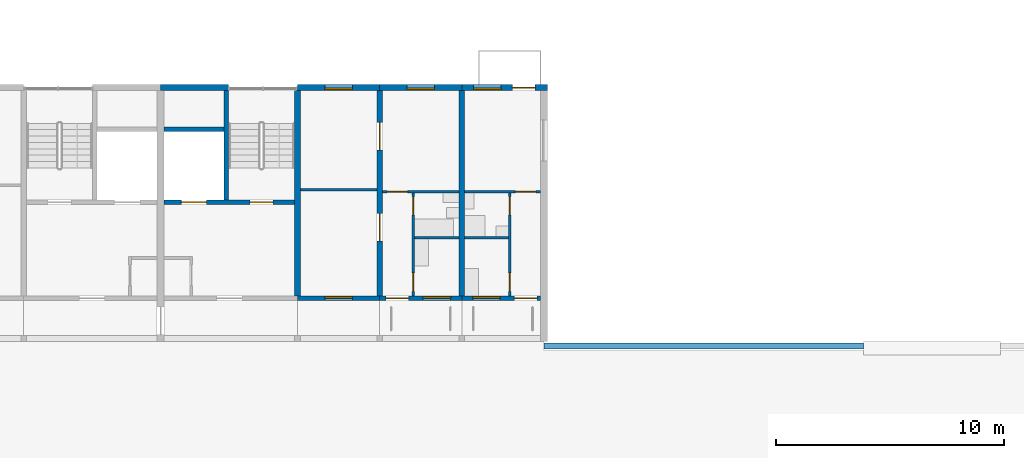
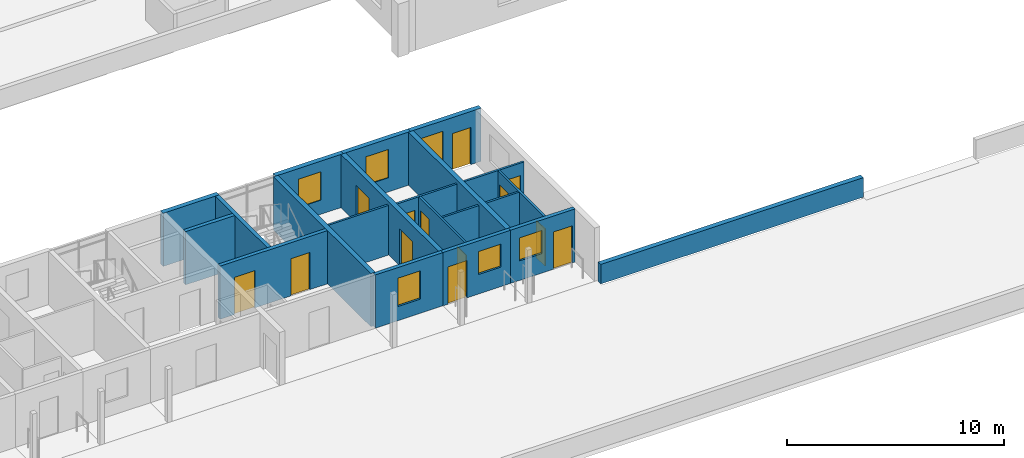
# One storey, part 46 of 115: 21 walls, 13 doors, 6 windows, 19 openings.
"""IFC4 building model written with IfcOpenShell, lengths in metres."""

from ifc_helpers import new_model, si_unit, direction, frame, frame_2d, origin, place, context, subcontext, project, spatial, rectangle, extrude, material, layer, layer_set, type_object, element, fill, save


model = new_model("IFC4")

# Units and contexts
model_context = context("Model", 3, precision=1e-05, world=origin(), true_north=direction((0.0, 1.0)))
body_context = subcontext(model_context, "Body", "Model", "MODEL_VIEW")
ifc_project = project(units=[si_unit("LENGTHUNIT", "METRE"), si_unit("AREAUNIT", "SQUARE_METRE"), si_unit("VOLUMEUNIT", "CUBIC_METRE"), si_unit("PLANEANGLEUNIT", "RADIAN"), si_unit("MASSUNIT", "GRAM", prefix="KILO")], contexts=[model_context])

# Site, building, storey
site_placement = place(None, origin())
site = spatial("IfcSite", under=ifc_project, at=site_placement, CompositionType="ELEMENT")
building_placement = place(site_placement, origin())
building = spatial("IfcBuilding", under=site, at=building_placement, Name="Ridgestep Commons", CompositionType="ELEMENT")
storey_placement = place(building_placement, frame((0.0, 0.0, 6.0)))
storey = spatial("IfcBuildingStorey", under=building, at=storey_placement, Name="L02", CompositionType="ELEMENT", Elevation=6.0)

# Walls
ifc_material_1 = material(Name="Precast concrete C40/50", Category="concrete")
ifc_layer_1 = layer(ifc_material_1, 0.25)
ifc_layer_set_1 = layer_set([ifc_layer_1], Name="Community terrace parapet 250")
wall_type_1 = type_object("IfcWallType", Name="Community terrace parapet 250", PredefinedType="PARAPET", material=ifc_layer_set_1)
wall_1_placement = place(storey_placement, frame((112.800048828125, 11.550048828125, 0.0), z_axis=(0.0, 0.0, 1.0), x_axis=(1.0, 0.0, 0.0)))
element("IfcWall", 1, at=wall_1_placement, inside=storey, type_object=wall_type_1, Name="Terrace parapet", PredefinedType="PARAPET", context=body_context, shape_type="SweptSolid", body=[
    extrude(rectangle(XDim=14.0, YDim=0.25, at=frame_2d((7.0, 0.0))), origin(), (0.0, 0.0, 1.0), 1.10009765625),
])
ifc_material_2 = material(Name="Concrete C30/37", Category="concrete")
ifc_layer_2 = layer(ifc_material_2, 0.25)
ifc_layer_set_2 = layer_set([ifc_layer_2], Name="Core cross wall 250")
wall_type_2 = type_object("IfcWallType", Name="Core cross wall 250", PredefinedType="SHEAR", material=ifc_layer_set_2)
wall_2_placement = place(storey_placement, frame((102.0, 13.75, 0.0), z_axis=(0.0, 0.0, 1.0), x_axis=(0.0, 1.0, 0.0)))
element("IfcWall", 2, at=wall_2_placement, inside=storey, type_object=wall_type_2, Name="Cross wall A-02-1020", PredefinedType="SHEAR", context=body_context, shape_type="SweptSolid", body=[
    extrude(rectangle(XDim=9.0, YDim=0.25, at=frame_2d((4.5, 0.0))), origin(), (0.0, 0.0, 1.0), 3.0),
])

# Wall, openings, doors
ifc_material_3 = material(Name="Concrete C30/37", Category="concrete")
ifc_layer_3 = layer(ifc_material_3, 0.199951171875)
ifc_layer_set_3 = layer_set([ifc_layer_3], Name="Core wall 200")
wall_type_3 = type_object("IfcWallType", Name="Core wall 200", PredefinedType="SHEAR", material=ifc_layer_set_3)
wall_3_placement = place(storey_placement, frame((96.14990234375, 17.85009765625, 0.0), z_axis=(0.0, 0.0, 1.0), x_axis=(1.0, 0.0, 0.0)))
wall_3 = element("IfcWall", 3, at=wall_3_placement, inside=storey, type_object=wall_type_3, Name="Core lobby wall A6C L02", PredefinedType="SHEAR", context=body_context, shape_type="SweptSolid", body=[
    extrude(rectangle(XDim=5.72509765625, YDim=0.199951171875, at=frame_2d((2.862548828125, 0.0))), origin(), (0.0, 0.0, 1.0), 3.0),
])
opening_1_placement = place(wall_3_placement, frame((3.77490234375, 0.0, 0.0)))
opening_1 = element("IfcOpeningElement", 4, at=opening_1_placement, cuts=wall_3, Name="Opening A6C/02/2", PredefinedType="OPENING", context=body_context, shape_type="SweptSolid", body=[
    extrude(rectangle(XDim=1.0, YDim=2.10009765625, at=frame_2d((0.5, 1.050048828125))), frame((0.0, 0.10986328125, 0.0), z_axis=(0.0, -1.0, 0.0), x_axis=(1.0, 0.0, 0.0)), (0.0, 0.0, 1.0), 0.219970703125),
])
opening_2_placement = place(wall_3_placement, frame((0.762451171875, 0.0, 0.0)))
opening_2 = element("IfcOpeningElement", 5, at=opening_2_placement, cuts=wall_3, Name="Opening A6C/02/3", PredefinedType="OPENING", context=body_context, shape_type="SweptSolid", body=[
    extrude(rectangle(XDim=1.10009765625, YDim=2.10009765625, at=frame_2d((0.550048828125, 1.050048828125))), frame((0.0, 0.10986328125, 0.0), z_axis=(0.0, -1.0, 0.0), x_axis=(1.0, 0.0, 0.0)), (0.0, 0.0, 1.0), 0.219970703125),
])
ifc_material_4 = material(Name="Stainless steel", Category="steel")
door_type_1 = type_object("IfcDoorType", Name="Lift landing door 1100 x 2100 FD60", OperationType="DOUBLE_DOOR_SLIDING", PredefinedType="DOOR", material=ifc_material_4)
door_1_placement = place(opening_2_placement, origin())
door_1 = element("IfcDoor", 6, at=door_1_placement, inside=storey, type_object=door_type_1, Name="Landing door LD A6C L02", OperationType="DOUBLE_DOOR_SLIDING", OverallHeight=2.10009765625, OverallWidth=1.10009765625, PredefinedType="DOOR", context=body_context, shape_type="SweptSolid", body=[
    extrude(rectangle(XDim=1.10009765625, YDim=2.10009765625, at=frame_2d((0.550048828125, 1.050048828125))), frame((0.0, 0.02490234375, 0.0), z_axis=(0.0, -1.0, 0.0), x_axis=(1.0, 0.0, 0.0)), (0.0, 0.0, 1.0), 0.050048828125),
])
fill(opening_2, door_1)
ifc_material_5 = material(Name="Steel fire door", Category="steel")
door_type_2 = type_object("IfcDoorType", Name="Stair door 1000 x 2100 FD60", OperationType="NOTDEFINED", PredefinedType="DOOR", material=ifc_material_5)
door_2_placement = place(opening_1_placement, origin())
door_2 = element("IfcDoor", 7, at=door_2_placement, inside=storey, type_object=door_type_2, Name="Stair door A6C/02/2", OperationType="SINGLE_SWING_RIGHT", OverallHeight=2.10009765625, OverallWidth=1.0, PredefinedType="DOOR", context=body_context, shape_type="SweptSolid", body=[
    extrude(rectangle(XDim=1.0, YDim=2.10009765625, at=frame_2d((0.5, 1.050048828125))), frame((0.0, 0.02490234375, 0.0), z_axis=(0.0, -1.0, 0.0), x_axis=(1.0, 0.0, 0.0)), (0.0, 0.0, 1.0), 0.050048828125),
])
fill(opening_1, door_2)

# Walls
wall_4_placement = place(storey_placement, frame((98.875, 17.949951171875, 0.0), z_axis=(0.0, 0.0, 1.0), x_axis=(0.0, 1.0, 0.0)))
element("IfcWall", 8, at=wall_4_placement, inside=storey, type_object=wall_type_3, Name="Core stair wall A6C L02", PredefinedType="SHEAR", context=body_context, shape_type="SweptSolid", body=[
    extrude(rectangle(XDim=4.800048828125, YDim=0.199951171875, at=frame_2d((2.39990234375, 0.0))), origin(), (0.0, 0.0, 1.0), 3.0),
])
wall_5_placement = place(storey_placement, frame((96.14990234375, 21.050048828125, 0.0), z_axis=(0.0, 0.0, 1.0), x_axis=(1.0, 0.0, 0.0)))
element("IfcWall", 9, at=wall_5_placement, inside=storey, type_object=wall_type_3, Name="Core duct wall A6C L02", PredefinedType="SHEAR", context=body_context, shape_type="SweptSolid", body=[
    extrude(rectangle(XDim=2.625, YDim=0.199951171875, at=frame_2d((1.3125, 0.0))), origin(), (0.0, 0.0, 1.0), 3.0),
])

# Wall, openings, doors
ifc_material_6 = material(Name="Precast concrete C40/50", Category="concrete")
ifc_layer_4 = layer(ifc_material_6, 0.25)
ifc_layer_set_4 = layer_set([ifc_layer_4], Name="Cross wall 250")
wall_type_4 = type_object("IfcWallType", Name="Cross wall 250", PredefinedType="SHEAR", material=ifc_layer_set_4)
wall_6_placement = place(storey_placement, frame((105.60009765625, 13.75, 0.0), z_axis=(0.0, 0.0, 1.0), x_axis=(0.0, 1.0, 0.0)))
wall_6 = element("IfcWall", 10, at=wall_6_placement, inside=storey, type_object=wall_type_4, Name="Cross wall A-02-1056", PredefinedType="SHEAR", context=body_context, shape_type="SweptSolid", body=[
    extrude(rectangle(XDim=9.0, YDim=0.25, at=frame_2d((4.5, 0.0))), origin(), (0.0, 0.0, 1.0), 3.0),
])
opening_3_placement = place(wall_6_placement, frame((2.39990234375, 0.0, 0.0)))
opening_3 = element("IfcOpeningElement", 11, at=opening_3_placement, cuts=wall_6, Name="Opening A6-02b/5", PredefinedType="OPENING", context=body_context, shape_type="SweptSolid", body=[
    extrude(rectangle(XDim=1.199951171875, YDim=2.10009765625, at=frame_2d((0.60009765625, 1.050048828125))), frame((0.0, 0.135009765625, 0.0), z_axis=(0.0, -1.0, 0.0), x_axis=(1.0, 0.0, 0.0)), (0.0, 0.0, 1.0), 0.27001953125),
])
opening_4_placement = place(wall_6_placement, frame((6.39990234375, 0.0, 0.0)))
opening_4 = element("IfcOpeningElement", 12, at=opening_4_placement, cuts=wall_6, Name="Opening A6-02b/6", PredefinedType="OPENING", context=body_context, shape_type="SweptSolid", body=[
    extrude(rectangle(XDim=1.199951171875, YDim=2.10009765625, at=frame_2d((0.60009765625, 1.050048828125))), frame((0.0, 0.135009765625, 0.0), z_axis=(0.0, -1.0, 0.0), x_axis=(1.0, 0.0, 0.0)), (0.0, 0.0, 1.0), 0.27001953125),
])
ifc_material_7 = material(Name="Timber door leaf", Category="wood")
door_type_3 = type_object("IfcDoorType", Name="Double door 1200 x 2100", OperationType="DOUBLE_DOOR_SINGLE_SWING", PredefinedType="DOOR", material=ifc_material_7)
door_3_placement = place(opening_3_placement, origin())
door_3 = element("IfcDoor", 13, at=door_3_placement, inside=storey, type_object=door_type_3, Name="Double door A6-02b/5", OperationType="DOUBLE_DOOR_SINGLE_SWING", OverallHeight=2.10009765625, OverallWidth=1.199951171875, PredefinedType="DOOR", context=body_context, shape_type="SweptSolid", body=[
    extrude(rectangle(XDim=1.199951171875, YDim=2.10009765625, at=frame_2d((0.60009765625, 1.050048828125))), frame((0.0, 0.02490234375, 0.0), z_axis=(0.0, -1.0, 0.0), x_axis=(1.0, 0.0, 0.0)), (0.0, 0.0, 1.0), 0.050048828125),
])
fill(opening_3, door_3)
door_4_placement = place(opening_4_placement, origin())
door_4 = element("IfcDoor", 14, at=door_4_placement, inside=storey, type_object=door_type_3, Name="Double door A6-02b/6", OperationType="DOUBLE_DOOR_SINGLE_SWING", OverallHeight=2.10009765625, OverallWidth=1.199951171875, PredefinedType="DOOR", context=body_context, shape_type="SweptSolid", body=[
    extrude(rectangle(XDim=1.199951171875, YDim=2.10009765625, at=frame_2d((0.60009765625, 1.050048828125))), frame((0.0, 0.02490234375, 0.0), z_axis=(0.0, -1.0, 0.0), x_axis=(1.0, 0.0, 0.0)), (0.0, 0.0, 1.0), 0.050048828125),
])
fill(opening_4, door_4)

# Walls
wall_7_placement = place(storey_placement, frame((109.199951171875, 13.75, 0.0), z_axis=(0.0, 0.0, 1.0), x_axis=(0.0, 1.0, 0.0)))
element("IfcWall", 15, at=wall_7_placement, inside=storey, type_object=wall_type_4, Name="Cross wall A-02-1092", PredefinedType="SHEAR", context=body_context, shape_type="SweptSolid", body=[
    extrude(rectangle(XDim=9.0, YDim=0.25, at=frame_2d((4.5, 0.0))), origin(), (0.0, 0.0, 1.0), 3.0),
])
ifc_material_8 = material(Name="Precast concrete C40/50", Category="concrete")
ifc_layer_5 = layer(ifc_material_8, 0.25)
ifc_layer_set_5 = layer_set([ifc_layer_5], Name="North facade panel 250")
wall_type_5 = type_object("IfcWallType", Name="North facade panel 250", PredefinedType="SOLIDWALL", material=ifc_layer_set_5)
wall_8_placement = place(storey_placement, frame((96.0, 22.875, 0.0), z_axis=(0.0, 0.0, 1.0), x_axis=(1.0, 0.0, 0.0)))
element("IfcWall", 16, at=wall_8_placement, inside=storey, type_object=wall_type_5, Name="North panel A6C L02", PredefinedType="SOLIDWALL", context=body_context, shape_type="SweptSolid", body=[
    extrude(rectangle(XDim=2.97509765625, YDim=0.25, at=frame_2d((1.487548828125, 0.0))), origin(), (0.0, 0.0, 1.0), 3.0),
])

# Wall, opening, window
wall_9_placement = place(storey_placement, frame((102.0, 22.875, 0.0), z_axis=(0.0, 0.0, 1.0), x_axis=(1.0, 0.0, 0.0)))
wall_9 = element("IfcWall", 17, at=wall_9_placement, inside=storey, type_object=wall_type_5, Name="North panel A6T3 L02", PredefinedType="SOLIDWALL", context=body_context, shape_type="SweptSolid", body=[
    extrude(rectangle(XDim=3.60009765625, YDim=0.25, at=frame_2d((1.800048828125, 0.0))), origin(), (0.0, 0.0, 1.0), 3.0),
])
opening_5_placement = place(wall_9_placement, frame((1.199951171875, 0.0, 0.800048828125)))
opening_5 = element("IfcOpeningElement", 18, at=opening_5_placement, cuts=wall_9, Name="Opening W11", PredefinedType="OPENING", context=body_context, shape_type="SweptSolid", body=[
    extrude(rectangle(XDim=1.199951171875, YDim=1.60009765625, at=frame_2d((0.60009765625, 0.800048828125))), frame((0.0, 0.135009765625, 0.0), z_axis=(0.0, -1.0, 0.0), x_axis=(1.0, 0.0, 0.0)), (0.0, 0.0, 1.0), 0.27001953125),
])
ifc_material_9 = material(Name="Aluminium 6063-T6 and glass", Category="aluminium")
window_type_1 = type_object("IfcWindowType", Name="Flat window 1200 x 1600", PartitioningType="SINGLE_PANEL", PredefinedType="WINDOW", material=ifc_material_9)
window_1_placement = place(opening_5_placement, origin())
window_1 = element("IfcWindow", 19, at=window_1_placement, inside=storey, type_object=window_type_1, Name="Window A6-02b 2", OverallHeight=1.60009765625, OverallWidth=1.199951171875, PartitioningType="SINGLE_PANEL", PredefinedType="WINDOW", context=body_context, shape_type="SweptSolid", body=[
    extrude(rectangle(XDim=1.199951171875, YDim=1.60009765625, at=frame_2d((0.60009765625, 0.800048828125))), frame((0.0, -0.02490234375, 0.0), z_axis=(0.0, -1.0, 0.0), x_axis=(1.0, 0.0, 0.0)), (0.0, 0.0, 1.0), 0.06005859375),
])
fill(opening_5, window_1)

wall_10_placement = place(storey_placement, frame((105.60009765625, 22.875, 0.0), z_axis=(0.0, 0.0, 1.0), x_axis=(1.0, 0.0, 0.0)))
wall_10 = element("IfcWall", 20, at=wall_10_placement, inside=storey, type_object=wall_type_5, Name="North panel A6T2 L02", PredefinedType="SOLIDWALL", context=body_context, shape_type="SweptSolid", body=[
    extrude(rectangle(XDim=3.599853515625, YDim=0.25, at=frame_2d((1.7998046875, 0.0))), origin(), (0.0, 0.0, 1.0), 3.0),
])
opening_6_placement = place(wall_10_placement, frame((1.199951171875, 0.0, 0.800048828125)))
opening_6 = element("IfcOpeningElement", 21, at=opening_6_placement, cuts=wall_10, Name="Opening W11", PredefinedType="OPENING", context=body_context, shape_type="SweptSolid", body=[
    extrude(rectangle(XDim=1.199951171875, YDim=1.60009765625, at=frame_2d((0.60009765625, 0.800048828125))), frame((0.0, 0.135009765625, 0.0), z_axis=(0.0, -1.0, 0.0), x_axis=(1.0, 0.0, 0.0)), (0.0, 0.0, 1.0), 0.27001953125),
])
window_2_placement = place(opening_6_placement, origin())
window_2 = element("IfcWindow", 22, at=window_2_placement, inside=storey, type_object=window_type_1, Name="Window A6-02b 4", OverallHeight=1.60009765625, OverallWidth=1.199951171875, PartitioningType="SINGLE_PANEL", PredefinedType="WINDOW", context=body_context, shape_type="SweptSolid", body=[
    extrude(rectangle(XDim=1.199951171875, YDim=1.60009765625, at=frame_2d((0.60009765625, 0.800048828125))), frame((0.0, -0.02490234375, 0.0), z_axis=(0.0, -1.0, 0.0), x_axis=(1.0, 0.0, 0.0)), (0.0, 0.0, 1.0), 0.06005859375),
])
fill(opening_6, window_2)

# Wall, openings, door, window
wall_11_placement = place(storey_placement, frame((109.199951171875, 22.875, 0.0), z_axis=(0.0, 0.0, 1.0), x_axis=(1.0, 0.0, 0.0)))
wall_11 = element("IfcWall", 23, at=wall_11_placement, inside=storey, type_object=wall_type_5, Name="North panel A6T1 L02", PredefinedType="SOLIDWALL", context=body_context, shape_type="SweptSolid", body=[
    extrude(rectangle(XDim=3.75, YDim=0.25, at=frame_2d((1.875, 0.0))), origin(), (0.0, 0.0, 1.0), 3.0),
])
opening_7_placement = place(wall_11_placement, frame((0.52001953125, 0.0, 0.800048828125)))
opening_7 = element("IfcOpeningElement", 24, at=opening_7_placement, cuts=wall_11, Name="Opening W11", PredefinedType="OPENING", context=body_context, shape_type="SweptSolid", body=[
    extrude(rectangle(XDim=1.199951171875, YDim=1.60009765625, at=frame_2d((0.60009765625, 0.800048828125))), frame((0.0, 0.135009765625, 0.0), z_axis=(0.0, -1.0, 0.0), x_axis=(1.0, 0.0, 0.0)), (0.0, 0.0, 1.0), 0.27001953125),
])
opening_8_placement = place(wall_11_placement, frame((2.215087890625, 0.0, 0.0)))
opening_8 = element("IfcOpeningElement", 25, at=opening_8_placement, cuts=wall_11, Name="Opening A6-02a/5", PredefinedType="OPENING", context=body_context, shape_type="SweptSolid", body=[
    extrude(rectangle(XDim=1.0, YDim=2.10009765625, at=frame_2d((0.5, 1.050048828125))), frame((0.0, 0.135009765625, 0.0), z_axis=(0.0, -1.0, 0.0), x_axis=(1.0, 0.0, 0.0)), (0.0, 0.0, 1.0), 0.27001953125),
])
ifc_material_10 = material(Name="Aluminium and glass", Category="aluminium")
door_type_4 = type_object("IfcDoorType", Name="Balcony door 1000 x 2100", OperationType="NOTDEFINED", PredefinedType="DOOR", material=ifc_material_10)
door_5_placement = place(opening_8_placement, origin())
door_5 = element("IfcDoor", 26, at=door_5_placement, inside=storey, type_object=door_type_4, Name="Balcony door A6-02a/5", OperationType="SINGLE_SWING_LEFT", OverallHeight=2.10009765625, OverallWidth=1.0, PredefinedType="DOOR", context=body_context, shape_type="SweptSolid", body=[
    extrude(rectangle(XDim=1.0, YDim=2.10009765625, at=frame_2d((0.5, 1.050048828125))), frame((0.0, 0.02490234375, 0.0), z_axis=(0.0, -1.0, 0.0), x_axis=(1.0, 0.0, 0.0)), (0.0, 0.0, 1.0), 0.050048828125),
])
fill(opening_8, door_5)
window_3_placement = place(opening_7_placement, origin())
window_3 = element("IfcWindow", 27, at=window_3_placement, inside=storey, type_object=window_type_1, Name="Window A6-02a 2", OverallHeight=1.60009765625, OverallWidth=1.199951171875, PartitioningType="SINGLE_PANEL", PredefinedType="WINDOW", context=body_context, shape_type="SweptSolid", body=[
    extrude(rectangle(XDim=1.199951171875, YDim=1.60009765625, at=frame_2d((0.60009765625, 0.800048828125))), frame((0.0, -0.02490234375, 0.0), z_axis=(0.0, -1.0, 0.0), x_axis=(1.0, 0.0, 0.0)), (0.0, 0.0, 1.0), 0.06005859375),
])
fill(opening_7, window_3)

# Wall
ifc_material_11 = material(Name="Common brick 110 mm", Category="masonry")
ifc_layer_6 = layer(ifc_material_11, 0.110107421875)
ifc_layer_set_6 = layer_set([ifc_layer_6], Name="Partition 110")
wall_type_6 = type_object("IfcWallType", Name="Partition 110", PredefinedType="PARTITIONING", material=ifc_layer_set_6)
wall_12_placement = place(storey_placement, frame((109.324951171875, 16.304931640625, 0.0), z_axis=(0.0, 0.0, 1.0), x_axis=(1.0, 0.0, 0.0)))
element("IfcWall", 28, at=wall_12_placement, inside=storey, type_object=wall_type_6, Name="Partition A6-02a", PredefinedType="PARTITIONING", context=body_context, shape_type="SweptSolid", body=[
    extrude(rectangle(XDim=1.9150390625, YDim=0.110107421875, at=frame_2d((0.95751953125, 0.0))), origin(), (0.0, 0.0, 1.0), 2.800048828125),
])

# Wall, openings, doors
wall_13_placement = place(storey_placement, frame((111.294921875, 13.75, 0.0), z_axis=(0.0, 0.0, 1.0), x_axis=(0.0, 1.0, 0.0)))
wall_13 = element("IfcWall", 29, at=wall_13_placement, inside=storey, type_object=wall_type_6, Name="Partition A6-02a", PredefinedType="PARTITIONING", context=body_context, shape_type="SweptSolid", body=[
    extrude(rectangle(XDim=4.5, YDim=0.110107421875, at=frame_2d((2.25, 0.0))), origin(), (0.0, 0.0, 1.0), 2.800048828125),
])
opening_9_placement = place(wall_13_placement, frame((0.199951171875, 0.0, 0.0)))
opening_9 = element("IfcOpeningElement", 30, at=opening_9_placement, cuts=wall_13, Name="Opening A6-02a/2", PredefinedType="OPENING", context=body_context, shape_type="SweptSolid", body=[
    extrude(rectangle(XDim=0.800048828125, YDim=2.10009765625, at=frame_2d((0.39990234375, 1.050048828125))), frame((0.0, 0.06494140625, 0.0), z_axis=(0.0, -1.0, 0.0), x_axis=(1.0, 0.0, 0.0)), (0.0, 0.0, 1.0), 0.130126953125),
])
opening_10_placement = place(wall_13_placement, frame((3.550048828125, 0.0, 0.0)))
opening_10 = element("IfcOpeningElement", 31, at=opening_10_placement, cuts=wall_13, Name="Opening A6-02a/3", PredefinedType="OPENING", context=body_context, shape_type="SweptSolid", body=[
    extrude(rectangle(XDim=0.800048828125, YDim=2.10009765625, at=frame_2d((0.39990234375, 1.050048828125))), frame((0.0, 0.06494140625, 0.0), z_axis=(0.0, -1.0, 0.0), x_axis=(1.0, 0.0, 0.0)), (0.0, 0.0, 1.0), 0.130126953125),
])
ifc_material_12 = material(Name="Timber door leaf", Category="wood")
door_type_5 = type_object("IfcDoorType", Name="Internal door 800 x 2100", OperationType="NOTDEFINED", PredefinedType="DOOR", material=ifc_material_12)
door_6_placement = place(opening_9_placement, origin())
door_6 = element("IfcDoor", 32, at=door_6_placement, inside=storey, type_object=door_type_5, Name="Internal door A6-02a/2", OperationType="SINGLE_SWING_LEFT", OverallHeight=2.10009765625, OverallWidth=0.800048828125, PredefinedType="DOOR", context=body_context, shape_type="SweptSolid", body=[
    extrude(rectangle(XDim=0.800048828125, YDim=2.10009765625, at=frame_2d((0.39990234375, 1.050048828125))), frame((0.0, 0.02490234375, 0.0), z_axis=(0.0, -1.0, 0.0), x_axis=(1.0, 0.0, 0.0)), (0.0, 0.0, 1.0), 0.050048828125),
])
fill(opening_9, door_6)
door_7_placement = place(opening_10_placement, origin())
door_7 = element("IfcDoor", 33, at=door_7_placement, inside=storey, type_object=door_type_5, Name="Internal door A6-02a/3", OperationType="SINGLE_SWING_RIGHT", OverallHeight=2.10009765625, OverallWidth=0.800048828125, PredefinedType="DOOR", context=body_context, shape_type="SweptSolid", body=[
    extrude(rectangle(XDim=0.800048828125, YDim=2.10009765625, at=frame_2d((0.39990234375, 1.050048828125))), frame((0.0, 0.02490234375, 0.0), z_axis=(0.0, -1.0, 0.0), x_axis=(1.0, 0.0, 0.0)), (0.0, 0.0, 1.0), 0.050048828125),
])
fill(opening_10, door_7)

# Wall, opening, door
wall_14_placement = place(storey_placement, frame((109.324951171875, 18.304931640625, 0.0), z_axis=(0.0, 0.0, 1.0), x_axis=(1.0, 0.0, 0.0)))
wall_14 = element("IfcWall", 34, at=wall_14_placement, inside=storey, type_object=wall_type_6, Name="Partition A6-02a", PredefinedType="PARTITIONING", context=body_context, shape_type="SweptSolid", body=[
    extrude(rectangle(XDim=3.324951171875, YDim=0.110107421875, at=frame_2d((1.66259765625, 0.0))), origin(), (0.0, 0.0, 1.0), 2.800048828125),
])
opening_11_placement = place(wall_14_placement, frame((2.22509765625, 0.0, 0.0)))
opening_11 = element("IfcOpeningElement", 35, at=opening_11_placement, cuts=wall_14, Name="Opening A6-02a/4", PredefinedType="OPENING", context=body_context, shape_type="SweptSolid", body=[
    extrude(rectangle(XDim=0.89990234375, YDim=2.10009765625, at=frame_2d((0.449951171875, 1.050048828125))), frame((0.0, 0.06494140625, 0.0), z_axis=(0.0, -1.0, 0.0), x_axis=(1.0, 0.0, 0.0)), (0.0, 0.0, 1.0), 0.130126953125),
])
ifc_material_13 = material(Name="Timber door leaf", Category="wood")
door_type_6 = type_object("IfcDoorType", Name="Internal door 900 x 2100", OperationType="NOTDEFINED", PredefinedType="DOOR", material=ifc_material_13)
door_8_placement = place(opening_11_placement, origin())
door_8 = element("IfcDoor", 36, at=door_8_placement, inside=storey, type_object=door_type_6, Name="Internal door A6-02a/4", OperationType="SINGLE_SWING_RIGHT", OverallHeight=2.10009765625, OverallWidth=0.89990234375, PredefinedType="DOOR", context=body_context, shape_type="SweptSolid", body=[
    extrude(rectangle(XDim=0.89990234375, YDim=2.10009765625, at=frame_2d((0.449951171875, 1.050048828125))), frame((0.0, 0.02490234375, 0.0), z_axis=(0.0, -1.0, 0.0), x_axis=(1.0, 0.0, 0.0)), (0.0, 0.0, 1.0), 0.050048828125),
])
fill(opening_11, door_8)

# Wall, openings, doors
wall_15_placement = place(storey_placement, frame((107.080078125, 13.75, 0.0), z_axis=(0.0, 0.0, 1.0), x_axis=(0.0, 1.0, 0.0)))
wall_15 = element("IfcWall", 37, at=wall_15_placement, inside=storey, type_object=wall_type_6, Name="Partition A6-02b", PredefinedType="PARTITIONING", context=body_context, shape_type="SweptSolid", body=[
    extrude(rectangle(XDim=4.5, YDim=0.110107421875, at=frame_2d((2.25, 0.0))), origin(), (0.0, 0.0, 1.0), 2.800048828125),
])
opening_12_placement = place(wall_15_placement, frame((0.199951171875, 0.0, 0.0)))
opening_12 = element("IfcOpeningElement", 38, at=opening_12_placement, cuts=wall_15, Name="Opening A6-02b/2", PredefinedType="OPENING", context=body_context, shape_type="SweptSolid", body=[
    extrude(rectangle(XDim=0.800048828125, YDim=2.10009765625, at=frame_2d((0.39990234375, 1.050048828125))), frame((0.0, 0.06494140625, 0.0), z_axis=(0.0, -1.0, 0.0), x_axis=(1.0, 0.0, 0.0)), (0.0, 0.0, 1.0), 0.130126953125),
])
opening_13_placement = place(wall_15_placement, frame((3.550048828125, 0.0, 0.0)))
opening_13 = element("IfcOpeningElement", 39, at=opening_13_placement, cuts=wall_15, Name="Opening A6-02b/3", PredefinedType="OPENING", context=body_context, shape_type="SweptSolid", body=[
    extrude(rectangle(XDim=0.800048828125, YDim=2.10009765625, at=frame_2d((0.39990234375, 1.050048828125))), frame((0.0, 0.06494140625, 0.0), z_axis=(0.0, -1.0, 0.0), x_axis=(1.0, 0.0, 0.0)), (0.0, 0.0, 1.0), 0.130126953125),
])
door_9_placement = place(opening_12_placement, origin())
door_9 = element("IfcDoor", 40, at=door_9_placement, inside=storey, type_object=door_type_5, Name="Internal door A6-02b/2", OperationType="SINGLE_SWING_RIGHT", OverallHeight=2.10009765625, OverallWidth=0.800048828125, PredefinedType="DOOR", context=body_context, shape_type="SweptSolid", body=[
    extrude(rectangle(XDim=0.800048828125, YDim=2.10009765625, at=frame_2d((0.39990234375, 1.050048828125))), frame((0.0, 0.02490234375, 0.0), z_axis=(0.0, -1.0, 0.0), x_axis=(1.0, 0.0, 0.0)), (0.0, 0.0, 1.0), 0.050048828125),
])
fill(opening_12, door_9)
door_10_placement = place(opening_13_placement, origin())
door_10 = element("IfcDoor", 41, at=door_10_placement, inside=storey, type_object=door_type_5, Name="Internal door A6-02b/3", OperationType="SINGLE_SWING_LEFT", OverallHeight=2.10009765625, OverallWidth=0.800048828125, PredefinedType="DOOR", context=body_context, shape_type="SweptSolid", body=[
    extrude(rectangle(XDim=0.800048828125, YDim=2.10009765625, at=frame_2d((0.39990234375, 1.050048828125))), frame((0.0, 0.02490234375, 0.0), z_axis=(0.0, -1.0, 0.0), x_axis=(1.0, 0.0, 0.0)), (0.0, 0.0, 1.0), 0.050048828125),
])
fill(opening_13, door_10)

# Wall
wall_16_placement = place(storey_placement, frame((107.135009765625, 16.304931640625, 0.0), z_axis=(0.0, 0.0, 1.0), x_axis=(1.0, 0.0, 0.0)))
element("IfcWall", 42, at=wall_16_placement, inside=storey, type_object=wall_type_6, Name="Partition A6-02b", PredefinedType="PARTITIONING", context=body_context, shape_type="SweptSolid", body=[
    extrude(rectangle(XDim=1.93994140625, YDim=0.110107421875, at=frame_2d((0.969970703125, 0.0))), origin(), (0.0, 0.0, 1.0), 2.800048828125),
])

# Wall, opening, door
wall_17_placement = place(storey_placement, frame((105.72509765625, 18.304931640625, 0.0), z_axis=(0.0, 0.0, 1.0), x_axis=(1.0, 0.0, 0.0)))
wall_17 = element("IfcWall", 43, at=wall_17_placement, inside=storey, type_object=wall_type_6, Name="Partition A6-02b", PredefinedType="PARTITIONING", context=body_context, shape_type="SweptSolid", body=[
    extrude(rectangle(XDim=3.349853515625, YDim=0.110107421875, at=frame_2d((1.6748046875, 0.0))), origin(), (0.0, 0.0, 1.0), 2.800048828125),
])
opening_14_placement = place(wall_17_placement, frame((0.199951171875, 0.0, 0.0)))
opening_14 = element("IfcOpeningElement", 44, at=opening_14_placement, cuts=wall_17, Name="Opening A6-02b/4", PredefinedType="OPENING", context=body_context, shape_type="SweptSolid", body=[
    extrude(rectangle(XDim=0.89990234375, YDim=2.10009765625, at=frame_2d((0.449951171875, 1.050048828125))), frame((0.0, 0.06494140625, 0.0), z_axis=(0.0, -1.0, 0.0), x_axis=(1.0, 0.0, 0.0)), (0.0, 0.0, 1.0), 0.130126953125),
])
door_11_placement = place(opening_14_placement, origin())
door_11 = element("IfcDoor", 45, at=door_11_placement, inside=storey, type_object=door_type_6, Name="Internal door A6-02b/4", OperationType="SINGLE_SWING_RIGHT", OverallHeight=2.10009765625, OverallWidth=0.89990234375, PredefinedType="DOOR", context=body_context, shape_type="SweptSolid", body=[
    extrude(rectangle(XDim=0.89990234375, YDim=2.10009765625, at=frame_2d((0.449951171875, 1.050048828125))), frame((0.0, 0.02490234375, 0.0), z_axis=(0.0, -1.0, 0.0), x_axis=(1.0, 0.0, 0.0)), (0.0, 0.0, 1.0), 0.050048828125),
])
fill(opening_14, door_11)

# Wall
wall_18_placement = place(storey_placement, frame((102.125, 18.405029296875, 0.0), z_axis=(0.0, 0.0, 1.0), x_axis=(1.0, 0.0, 0.0)))
element("IfcWall", 46, at=wall_18_placement, inside=storey, type_object=wall_type_6, Name="Partition A6-02b", PredefinedType="PARTITIONING", context=body_context, shape_type="SweptSolid", body=[
    extrude(rectangle(XDim=3.35009765625, YDim=0.110107421875, at=frame_2d((1.675048828125, 0.0))), origin(), (0.0, 0.0, 1.0), 2.800048828125),
])

# Wall, opening, window
ifc_material_14 = material(Name="Precast concrete C40/50", Category="concrete")
ifc_layer_7 = layer(ifc_material_14, 0.199951171875)
ifc_layer_set_7 = layer_set([ifc_layer_7], Name="South facade panel 200")
wall_type_7 = type_object("IfcWallType", Name="South facade panel 200", PredefinedType="SOLIDWALL", material=ifc_layer_set_7)
wall_19_placement = place(storey_placement, frame((102.0, 13.64990234375, 0.0), z_axis=(0.0, 0.0, 1.0), x_axis=(1.0, 0.0, 0.0)))
wall_19 = element("IfcWall", 47, at=wall_19_placement, inside=storey, type_object=wall_type_7, Name="South panel A6T3 L02", PredefinedType="SOLIDWALL", context=body_context, shape_type="SweptSolid", body=[
    extrude(rectangle(XDim=3.60009765625, YDim=0.199951171875, at=frame_2d((1.800048828125, 0.0))), origin(), (0.0, 0.0, 1.0), 3.0),
])
opening_15_placement = place(wall_19_placement, frame((1.199951171875, 0.0, 0.800048828125)))
opening_15 = element("IfcOpeningElement", 48, at=opening_15_placement, cuts=wall_19, Name="Opening W11", PredefinedType="OPENING", context=body_context, shape_type="SweptSolid", body=[
    extrude(rectangle(XDim=1.199951171875, YDim=1.60009765625, at=frame_2d((0.60009765625, 0.800048828125))), frame((0.0, 0.10986328125, 0.0), z_axis=(0.0, -1.0, 0.0), x_axis=(1.0, 0.0, 0.0)), (0.0, 0.0, 1.0), 0.219970703125),
])
window_4_placement = place(opening_15_placement, origin())
window_4 = element("IfcWindow", 49, at=window_4_placement, inside=storey, type_object=window_type_1, Name="Window A6-02b 1", OverallHeight=1.60009765625, OverallWidth=1.199951171875, PartitioningType="SINGLE_PANEL", PredefinedType="WINDOW", context=body_context, shape_type="SweptSolid", body=[
    extrude(rectangle(XDim=1.199951171875, YDim=1.60009765625, at=frame_2d((0.60009765625, 0.800048828125))), frame((0.0, 0.06005859375, 0.0), z_axis=(0.0, -1.0, 0.0), x_axis=(1.0, 0.0, 0.0)), (0.0, 0.0, 1.0), 0.06005859375),
])
fill(opening_15, window_4)

# Wall, openings, door, window
wall_20_placement = place(storey_placement, frame((105.60009765625, 13.64990234375, 0.0), z_axis=(0.0, 0.0, 1.0), x_axis=(1.0, 0.0, 0.0)))
wall_20 = element("IfcWall", 50, at=wall_20_placement, inside=storey, type_object=wall_type_7, Name="South panel A6T2 L02", PredefinedType="SOLIDWALL", context=body_context, shape_type="SweptSolid", body=[
    extrude(rectangle(XDim=3.599853515625, YDim=0.199951171875, at=frame_2d((1.7998046875, 0.0))), origin(), (0.0, 0.0, 1.0), 3.0),
])
opening_16_placement = place(wall_20_placement, frame((1.905029296875, 0.0, 1.10009765625)))
opening_16 = element("IfcOpeningElement", 51, at=opening_16_placement, cuts=wall_20, Name="Opening W08", PredefinedType="OPENING", context=body_context, shape_type="SweptSolid", body=[
    extrude(rectangle(XDim=1.199951171875, YDim=1.300048828125, at=frame_2d((0.60009765625, 0.64990234375))), frame((0.0, 0.10986328125, 0.0), z_axis=(0.0, -1.0, 0.0), x_axis=(1.0, 0.0, 0.0)), (0.0, 0.0, 1.0), 0.219970703125),
])
opening_17_placement = place(wall_20_placement, frame((0.27490234375, 0.0, 0.0)))
opening_17 = element("IfcOpeningElement", 52, at=opening_17_placement, cuts=wall_20, Name="Opening A6-02b/1", PredefinedType="OPENING", context=body_context, shape_type="SweptSolid", body=[
    extrude(rectangle(XDim=1.0, YDim=2.10009765625, at=frame_2d((0.5, 1.050048828125))), frame((0.0, 0.10986328125, 0.0), z_axis=(0.0, -1.0, 0.0), x_axis=(1.0, 0.0, 0.0)), (0.0, 0.0, 1.0), 0.219970703125),
])
ifc_material_15 = material(Name="Timber door leaf", Category="wood")
door_type_7 = type_object("IfcDoorType", Name="Flat entrance door 1000 x 2100 FD30S", OperationType="NOTDEFINED", PredefinedType="DOOR", material=ifc_material_15)
door_12_placement = place(opening_17_placement, origin())
door_12 = element("IfcDoor", 53, at=door_12_placement, inside=storey, type_object=door_type_7, Name="Flat entrance door A6-02b/1", OperationType="SINGLE_SWING_LEFT", OverallHeight=2.10009765625, OverallWidth=1.0, PredefinedType="DOOR", context=body_context, shape_type="SweptSolid", body=[
    extrude(rectangle(XDim=1.0, YDim=2.10009765625, at=frame_2d((0.5, 1.050048828125))), frame((0.0, 0.02490234375, 0.0), z_axis=(0.0, -1.0, 0.0), x_axis=(1.0, 0.0, 0.0)), (0.0, 0.0, 1.0), 0.050048828125),
])
fill(opening_17, door_12)
ifc_material_16 = material(Name="Aluminium 6063-T6 and glass", Category="aluminium")
window_type_2 = type_object("IfcWindowType", Name="Flat window 1200 x 1300", PartitioningType="SINGLE_PANEL", PredefinedType="WINDOW", material=ifc_material_16)
window_5_placement = place(opening_16_placement, origin())
window_5 = element("IfcWindow", 54, at=window_5_placement, inside=storey, type_object=window_type_2, Name="Window A6-02b 3", OverallHeight=1.300048828125, OverallWidth=1.199951171875, PartitioningType="SINGLE_PANEL", PredefinedType="WINDOW", context=body_context, shape_type="SweptSolid", body=[
    extrude(rectangle(XDim=1.199951171875, YDim=1.300048828125, at=frame_2d((0.60009765625, 0.64990234375))), frame((0.0, 0.06005859375, 0.0), z_axis=(0.0, -1.0, 0.0), x_axis=(1.0, 0.0, 0.0)), (0.0, 0.0, 1.0), 0.06005859375),
])
fill(opening_16, window_5)

wall_21_placement = place(storey_placement, frame((109.199951171875, 13.64990234375, 0.0), z_axis=(0.0, 0.0, 1.0), x_axis=(1.0, 0.0, 0.0)))
wall_21 = element("IfcWall", 55, at=wall_21_placement, inside=storey, type_object=wall_type_7, Name="South panel A6T1 L02", PredefinedType="SOLIDWALL", context=body_context, shape_type="SweptSolid", body=[
    extrude(rectangle(XDim=3.449951171875, YDim=0.199951171875, at=frame_2d((1.72509765625, 0.0))), origin(), (0.0, 0.0, 1.0), 3.0),
])
opening_18_placement = place(wall_21_placement, frame((0.482421875, 0.0, 1.10009765625)))
opening_18 = element("IfcOpeningElement", 56, at=opening_18_placement, cuts=wall_21, Name="Opening W08", PredefinedType="OPENING", context=body_context, shape_type="SweptSolid", body=[
    extrude(rectangle(XDim=1.199951171875, YDim=1.300048828125, at=frame_2d((0.60009765625, 0.64990234375))), frame((0.0, 0.10986328125, 0.0), z_axis=(0.0, -1.0, 0.0), x_axis=(1.0, 0.0, 0.0)), (0.0, 0.0, 1.0), 0.219970703125),
])
opening_19_placement = place(wall_21_placement, frame((2.300048828125, 0.0, 0.0)))
opening_19 = element("IfcOpeningElement", 57, at=opening_19_placement, cuts=wall_21, Name="Opening A6-02a/1", PredefinedType="OPENING", context=body_context, shape_type="SweptSolid", body=[
    extrude(rectangle(XDim=1.0, YDim=2.10009765625, at=frame_2d((0.5, 1.050048828125))), frame((0.0, 0.10986328125, 0.0), z_axis=(0.0, -1.0, 0.0), x_axis=(1.0, 0.0, 0.0)), (0.0, 0.0, 1.0), 0.219970703125),
])
door_13_placement = place(opening_19_placement, origin())
door_13 = element("IfcDoor", 58, at=door_13_placement, inside=storey, type_object=door_type_7, Name="Flat entrance door A6-02a/1", OperationType="SINGLE_SWING_RIGHT", OverallHeight=2.10009765625, OverallWidth=1.0, PredefinedType="DOOR", context=body_context, shape_type="SweptSolid", body=[
    extrude(rectangle(XDim=1.0, YDim=2.10009765625, at=frame_2d((0.5, 1.050048828125))), frame((0.0, 0.02490234375, 0.0), z_axis=(0.0, -1.0, 0.0), x_axis=(1.0, 0.0, 0.0)), (0.0, 0.0, 1.0), 0.050048828125),
])
fill(opening_19, door_13)
window_6_placement = place(opening_18_placement, origin())
window_6 = element("IfcWindow", 59, at=window_6_placement, inside=storey, type_object=window_type_2, Name="Window A6-02a 1", OverallHeight=1.300048828125, OverallWidth=1.199951171875, PartitioningType="SINGLE_PANEL", PredefinedType="WINDOW", context=body_context, shape_type="SweptSolid", body=[
    extrude(rectangle(XDim=1.199951171875, YDim=1.300048828125, at=frame_2d((0.60009765625, 0.64990234375))), frame((0.0, 0.06005859375, 0.0), z_axis=(0.0, -1.0, 0.0), x_axis=(1.0, 0.0, 0.0)), (0.0, 0.0, 1.0), 0.06005859375),
])
fill(opening_18, window_6)

save(model, "model.ifc")
